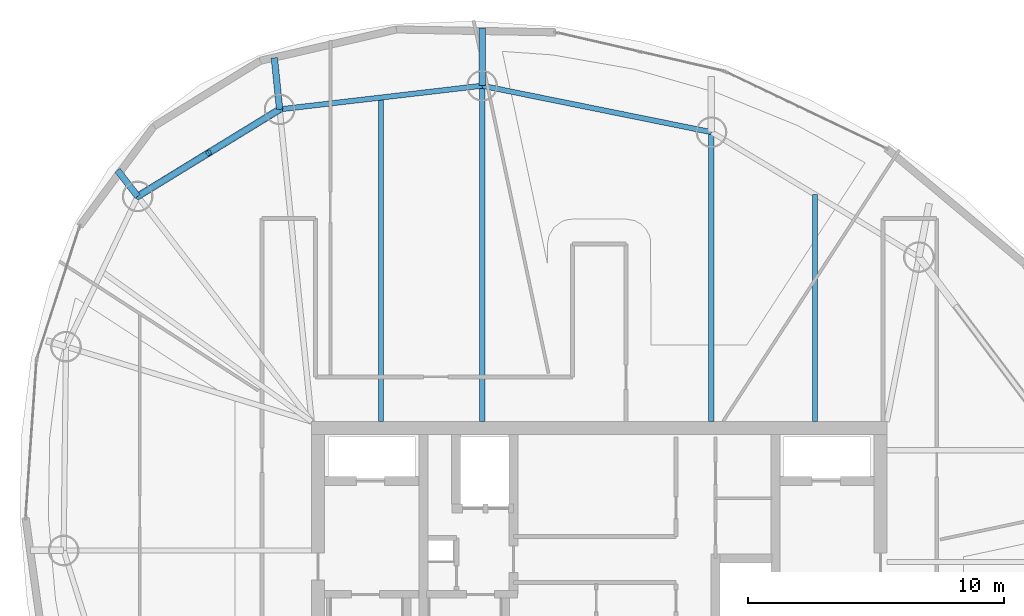
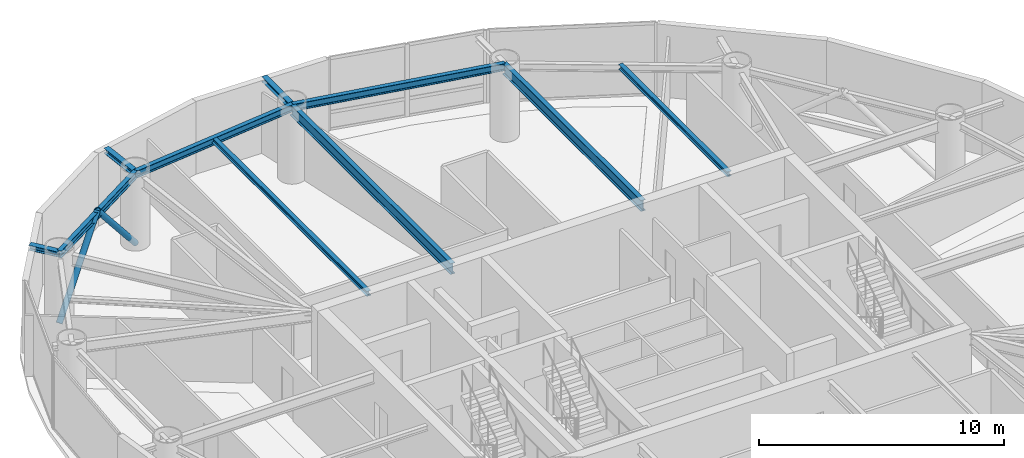
# One storey, part 12 of 22: 10 beams, 2 members.
"""IFC4 building model written with IfcOpenShell, lengths in metres."""

from ifc_helpers import new_model, si_unit, direction, frame, origin, origin_2d, place, context, subcontext, project, spatial, hollow_circle, i_section, extrude, material, material_profile, profile_set, type_object, element, save


model = new_model("IFC4")

# Units and contexts
model_context = context("Model", 3, precision=1e-05, world=origin(), true_north=direction((0.0, 1.0)))
body_context = subcontext(model_context, "Body", "Model", "MODEL_VIEW")
ifc_project = project(units=[si_unit("LENGTHUNIT", "METRE"), si_unit("AREAUNIT", "SQUARE_METRE"), si_unit("VOLUMEUNIT", "CUBIC_METRE"), si_unit("PLANEANGLEUNIT", "RADIAN"), si_unit("MASSUNIT", "GRAM", prefix="KILO")], contexts=[model_context])

# Site, building, storey
site_placement = place(None, origin())
site = spatial("IfcSite", under=ifc_project, at=site_placement, CompositionType="ELEMENT")
building_placement = place(site_placement, origin())
building = spatial("IfcBuilding", under=site, at=building_placement, Name="Bramvorn Convention Spire", CompositionType="ELEMENT")
storey_placement = place(building_placement, frame((0.0, 0.0, 221.25)))
storey = spatial("IfcBuildingStorey", under=building, at=storey_placement, Name="L56", CompositionType="ELEMENT", Elevation=221.25)

# Beams
ifc_material = material(Name="Steel CSA G40.21 Grade 350 (350W)", Category="steel")
ifc_material_profile_1 = material_profile(ifc_material, i_section(OverallWidth=0.201904296875, OverallDepth=0.2470703125, WebThickness=0.00732421875, FlangeThickness=0.010986328125, FilletRadius=0.011962890625, at=origin_2d()))
ifc_profile_set_1 = profile_set([ifc_material_profile_1], Name="Steel CSA G40.21 Grade 350 (350W) - W250X49")
beam_type_1 = type_object("IfcBeamType", Name="BM-W250X49", PredefinedType="JOIST", material=ifc_profile_set_1)
beam_1_placement = place(storey_placement, frame((46.445556640625, 33.449951171875, 3.49658203125), z_axis=(0.0, 1.0, 0.0), x_axis=(-1.0, 0.0, 0.0)))
element("IfcBeam", 1, at=beam_1_placement, inside=storey, type_object=beam_type_1, Name="L56 composite floor joist 05", PredefinedType="JOIST", context=body_context, shape_type="SweptSolid", body=[
    extrude(i_section(OverallWidth=0.201904296875, OverallDepth=0.2470703125, WebThickness=0.00732421875, FlangeThickness=0.010986328125, FilletRadius=0.011962890625, at=origin_2d()), origin(), (0.0, 0.0, 1.0), 8.878662109375),
])
beam_2_placement = place(storey_placement, frame((29.455810546875, 33.449951171875, 3.49658203125), z_axis=(0.0, 1.0, 0.0), x_axis=(-1.0, 0.0, 0.0)))
element("IfcBeam", 2, at=beam_2_placement, inside=storey, type_object=beam_type_1, Name="L56 composite floor joist 07", PredefinedType="JOIST", context=body_context, shape_type="SweptSolid", body=[
    extrude(i_section(OverallWidth=0.201904296875, OverallDepth=0.2470703125, WebThickness=0.00732421875, FlangeThickness=0.010986328125, FilletRadius=0.011962890625, at=origin_2d()), origin(), (0.0, 0.0, 1.0), 12.676025390625),
])
ifc_material_profile_2 = material_profile(ifc_material, i_section(OverallWidth=0.25390625, OverallDepth=0.2529296875, WebThickness=0.008544921875, FlangeThickness=0.01416015625, FilletRadius=0.011962890625, at=origin_2d()))
ifc_profile_set_2 = profile_set([ifc_material_profile_2], Name="Steel CSA G40.21 Grade 350 (350W) - W250X73")
beam_type_2 = type_object("IfcBeamType", Name="BM-W250X73", PredefinedType="BEAM", material=ifc_profile_set_2)
beam_3_placement = place(storey_placement, frame((33.416259765625, 46.58837890625, 3.493408203125), z_axis=(0.0, 1.0, 0.0), x_axis=(-1.0, 0.0, 0.0)))
element("IfcBeam", 3, at=beam_3_placement, inside=storey, type_object=beam_type_2, Name="L56 slab-edge cantilever tip beam MC07", PredefinedType="BEAM", context=body_context, shape_type="SweptSolid", body=[
    extrude(i_section(OverallWidth=0.25390625, OverallDepth=0.2529296875, WebThickness=0.008544921875, FlangeThickness=0.01416015625, FilletRadius=0.011962890625, at=origin_2d()), origin(), (0.0, 0.0, 1.0), 2.2646484375),
])
beam_4_placement = place(storey_placement, frame((25.49560546875, 45.663818359375, 3.493408203125), z_axis=(-0.102245826727, 0.994759162268, 0.0), x_axis=(-0.994759162268, -0.102245826727, 0.0)))
element("IfcBeam", 4, at=beam_4_placement, inside=storey, type_object=beam_type_2, Name="L56 slab-edge cantilever tip beam MC08", PredefinedType="BEAM", context=body_context, shape_type="SweptSolid", body=[
    extrude(i_section(OverallWidth=0.25390625, OverallDepth=0.2529296875, WebThickness=0.008544921875, FlangeThickness=0.01416015625, FilletRadius=0.011962890625, at=origin_2d()), origin(), (0.0, 0.0, 1.0), 2.02734375),
])
beam_5_placement = place(storey_placement, frame((19.941650390625, 42.260009765625, 3.493408203125), z_axis=(-0.611522632371, 0.791226939694, 0.0), x_axis=(-0.791226939694, -0.611522632371, 0.0)))
element("IfcBeam", 5, at=beam_5_placement, inside=storey, type_object=beam_type_2, Name="L56 slab-edge cantilever tip beam MC09", PredefinedType="BEAM", context=body_context, shape_type="SweptSolid", body=[
    extrude(i_section(OverallWidth=0.25390625, OverallDepth=0.2529296875, WebThickness=0.008544921875, FlangeThickness=0.01416015625, FilletRadius=0.011962890625, at=origin_2d()), origin(), (0.0, 0.0, 1.0), 1.294677734375),
])
ifc_material_profile_3 = material_profile(ifc_material, i_section(OverallWidth=0.205078125, OverallDepth=0.35400390625, WebThickness=0.009521484375, FlangeThickness=0.016845703125, FilletRadius=0.014892578125, at=origin_2d()))
ifc_profile_set_3 = profile_set([ifc_material_profile_3], Name="Steel CSA G40.21 Grade 350 (350W) - W360X79")
beam_type_3 = type_object("IfcBeamType", Name="BM-W360X79", PredefinedType="JOIST", material=ifc_profile_set_3)
beam_6_placement = place(storey_placement, frame((42.38916015625, 44.772216796875, 3.443115234375), z_axis=(-0.980124701676, 0.198382381187, 0.0), x_axis=(-0.198382381187, -0.980124701676, 0.0)))
element("IfcBeam", 6, at=beam_6_placement, inside=storey, type_object=beam_type_3, Name="L56 mega-column ring beam 06", PredefinedType="JOIST", context=body_context, shape_type="SweptSolid", body=[
    extrude(i_section(OverallWidth=0.205078125, OverallDepth=0.35400390625, WebThickness=0.009521484375, FlangeThickness=0.016845703125, FilletRadius=0.014892578125, at=origin_2d()), origin(), (0.0, 0.0, 1.0), 9.15478515625),
])
beam_7_placement = place(storey_placement, frame((33.416259765625, 46.58837890625, 3.443115234375), z_axis=(-0.993256148339, -0.115940604561, 0.0), x_axis=(0.115940604561, -0.993256148339, 0.0)))
element("IfcBeam", 7, at=beam_7_placement, inside=storey, type_object=beam_type_3, Name="L56 mega-column ring beam 07", PredefinedType="JOIST", context=body_context, shape_type="SweptSolid", body=[
    extrude(i_section(OverallWidth=0.205078125, OverallDepth=0.35400390625, WebThickness=0.009521484375, FlangeThickness=0.016845703125, FilletRadius=0.014892578125, at=origin_2d()), origin(), (0.0, 0.0, 1.0), 7.974365234375),
])
beam_8_placement = place(storey_placement, frame((25.49560546875, 45.663818359375, 3.443115234375), z_axis=(-0.852616873135, -0.522536570629, 0.0), x_axis=(0.522536570629, -0.852616873135, 0.0)))
element("IfcBeam", 8, at=beam_8_placement, inside=storey, type_object=beam_type_3, Name="L56 mega-column ring beam 08", PredefinedType="JOIST", context=body_context, shape_type="SweptSolid", body=[
    extrude(i_section(OverallWidth=0.205078125, OverallDepth=0.35400390625, WebThickness=0.009521484375, FlangeThickness=0.016845703125, FilletRadius=0.014892578125, at=origin_2d()), origin(), (0.0, 0.0, 1.0), 6.513916015625),
])
ifc_material_profile_4 = material_profile(ifc_material, i_section(OverallWidth=0.2119140625, OverallDepth=0.5439453125, WebThickness=0.01318359375, FlangeThickness=0.021240234375, FilletRadius=0.01904296875, at=origin_2d()))
ifc_profile_set_4 = profile_set([ifc_material_profile_4], Name="Steel CSA G40.21 Grade 350 (350W) - W530X123")
beam_type_4 = type_object("IfcBeamType", Name="BM-W530X123", PredefinedType="BEAM", material=ifc_profile_set_4)
beam_9_placement = place(storey_placement, frame((42.38916015625, 33.449951171875, 3.347900390625), z_axis=(0.0, 1.0, 0.0), x_axis=(-1.0, 0.0, 0.0)))
element("IfcBeam", 9, at=beam_9_placement, inside=storey, type_object=beam_type_4, Name="L56 radial floor girder MC06", PredefinedType="BEAM", context=body_context, shape_type="SweptSolid", body=[
    extrude(i_section(OverallWidth=0.2119140625, OverallDepth=0.5439453125, WebThickness=0.01318359375, FlangeThickness=0.021240234375, FilletRadius=0.01904296875, at=origin_2d()), origin(), (0.0, 0.0, 1.0), 11.322265625),
])
beam_10_placement = place(storey_placement, frame((33.416259765625, 33.449951171875, 3.347900390625), z_axis=(0.0, 1.0, 0.0), x_axis=(-1.0, 0.0, 0.0)))
element("IfcBeam", 10, at=beam_10_placement, inside=storey, type_object=beam_type_4, Name="L56 radial floor girder MC07", PredefinedType="BEAM", context=body_context, shape_type="SweptSolid", body=[
    extrude(i_section(OverallWidth=0.2119140625, OverallDepth=0.5439453125, WebThickness=0.01318359375, FlangeThickness=0.021240234375, FilletRadius=0.01904296875, at=origin_2d()), origin(), (0.0, 0.0, 1.0), 13.138427734375),
])

# Members
ifc_material_profile_5 = material_profile(ifc_material, hollow_circle(Radius=0.136474609375, WallThickness=0.0126953125, at=origin_2d()))
ifc_profile_set_5 = profile_set([ifc_material_profile_5], Name="Steel CSA G40.21 Grade 350 (350W) - CHS273X13")
member_type = type_object("IfcMemberType", Name="MBR-CHS273X13", PredefinedType="BRACE", material=ifc_profile_set_5)
for number, where, z_axis, x_axis, name in (
    (11, (25.49560546875, 45.663818359375, 0.0), (-0.570281085842, -0.349488303244, 0.743395862933), (0.522519873149, -0.852627106163, 0.0), "L56 perimeter Gothic lancet brace 8A"),
    (12, (19.941650390625, 42.260009765625, 0.0), (0.570247254591, 0.349498295389, 0.743417117204), (-0.522553268977, 0.852606639126, 0.0), "L56 perimeter Gothic lancet brace 8B"),
):
    element("IfcMember", number, at=place(storey_placement, frame(where, z_axis=z_axis, x_axis=x_axis)), inside=storey, type_object=member_type, Name=name, PredefinedType="BRACE", context=body_context, shape_type="SweptSolid", body=[
        extrude(hollow_circle(Radius=0.136474609375, WallThickness=0.0126953125, at=origin_2d()), origin(), (0.0, 0.0, 1.0), 4.86962890625),
    ])

save(model, "model.ifc")
